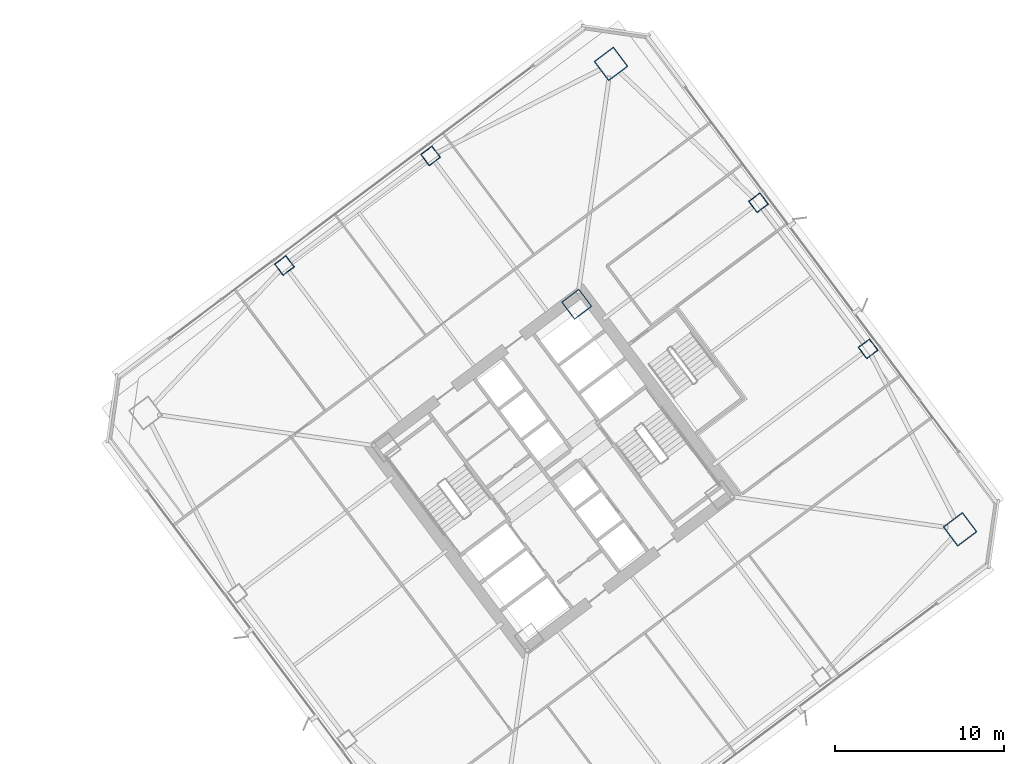
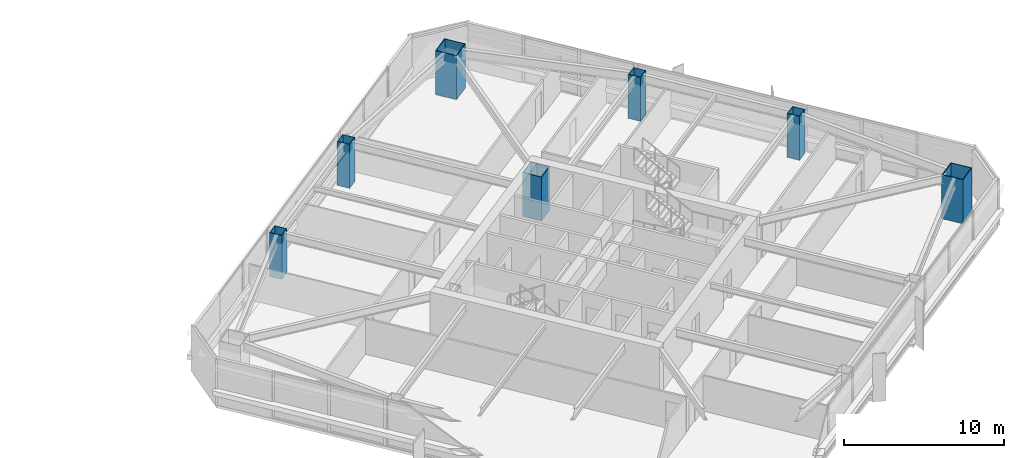
# One storey, part 2 of 49: 7 columns.
"""IFC4 building model written with IfcOpenShell, lengths in metres."""

from ifc_helpers import new_model, si_unit, direction, frame, origin, origin_2d, place, context, subcontext, project, spatial, hollow_rectangle, extrude, material, material_profile, profile_set, type_object, element, save


model = new_model("IFC4")

# Units and contexts
model_context = context("Model", 3, precision=1e-05, world=origin(), true_north=direction((0.0, 1.0)))
body_context = subcontext(model_context, "Body", "Model", "MODEL_VIEW")
ifc_project = project(units=[si_unit("LENGTHUNIT", "METRE"), si_unit("AREAUNIT", "SQUARE_METRE"), si_unit("VOLUMEUNIT", "CUBIC_METRE"), si_unit("PLANEANGLEUNIT", "RADIAN"), si_unit("MASSUNIT", "GRAM", prefix="KILO")], contexts=[model_context])

# Site, building, storey
site_placement = place(None, origin())
site = spatial("IfcSite", under=ifc_project, at=site_placement, CompositionType="ELEMENT")
building_placement = place(site_placement, origin())
building = spatial("IfcBuilding", under=site, at=building_placement, Name="Tashvorn Skyway Center", CompositionType="ELEMENT")
storey_placement = place(building_placement, frame((0.0, 0.0, 70.75)))
storey = spatial("IfcBuildingStorey", under=building, at=storey_placement, Name="L18", CompositionType="ELEMENT", Elevation=70.75)

# Columns
ifc_material = material(Name="Steel ASTM A572 Grade 50", Category="steel")
ifc_material_profile_1 = material_profile(ifc_material, hollow_rectangle(XDim=1.300048828125, YDim=1.300048828125, WallThickness=0.050048828125, at=origin_2d()), Name="BOX1300x1300x50")
ifc_profile_set_1 = profile_set([ifc_material_profile_1], Name="Steel ASTM A572 Grade 50")
column_type_1 = type_object("IfcColumnType", Name="COL-BOX1300x1300x50", PredefinedType="COLUMN", material=ifc_profile_set_1)
column_placement = place(storey_placement, frame((115.409912109375, 41.8701171875, 0.0), z_axis=(0.0, 0.0, 1.0), x_axis=(0.799999996291, 0.600000004945, 0.0)))
element("IfcColumn", 1, at=column_placement, inside=storey, type_object=column_type_1, Name="Tower 2 L18 Core Corner Column CC-NE", PredefinedType="COLUMN", context=body_context, shape_type="SweptSolid", body=[
    extrude(hollow_rectangle(XDim=1.300048828125, YDim=1.300048828125, WallThickness=0.050048828125, at=origin_2d()), origin(), (0.0, 0.0, 1.0), 3.35009765625),
])
ifc_material_profile_2 = material_profile(ifc_material, hollow_rectangle(XDim=1.449951171875, YDim=1.449951171875, WallThickness=0.054931640625, at=origin_2d()), Name="BOX1450x1450x55")
ifc_profile_set_2 = profile_set([ifc_material_profile_2], Name="Steel ASTM A572 Grade 50")
column_type_2 = type_object("IfcColumnType", Name="COL-BOX1450x1450x55", PredefinedType="COLUMN", material=ifc_profile_set_2)
for number, where, z_axis, x_axis, name in (
    (2, (138.080078125, 28.56005859375, 0.0), (0.0, 0.0, 1.0), (0.799999996291, 0.600000004945, 0.0), "Tower 2 L18 Mega-Column MC-SE"),
    (3, (117.43994140625, 56.080078125, 0.0), (0.0, 0.0, 1.0), (0.799999996291, 0.600000004945, 0.0), "Tower 2 L18 Mega-Column MC-NE"),
):
    element("IfcColumn", number, at=place(storey_placement, frame(where, z_axis=z_axis, x_axis=x_axis)), inside=storey, type_object=column_type_2, Name=name, PredefinedType="COLUMN", context=body_context, shape_type="SweptSolid", body=[
        extrude(hollow_rectangle(XDim=1.449951171875, YDim=1.449951171875, WallThickness=0.054931640625, at=origin_2d()), origin(), (0.0, 0.0, 1.0), 3.35009765625),
    ])
ifc_material_profile_3 = material_profile(ifc_material, hollow_rectangle(XDim=0.85009765625, YDim=0.85009765625, WallThickness=0.034912109375, at=origin_2d()), Name="BOX850x850x35")
ifc_profile_set_3 = profile_set([ifc_material_profile_3], Name="Steel ASTM A572 Grade 50")
column_type_3 = type_object("IfcColumnType", Name="COL-BOX850x850x35", PredefinedType="COLUMN", material=ifc_profile_set_3)
for number, where, z_axis, x_axis, name in (
    (4, (132.639892578125, 39.22998046875, 0.0), (0.0, 0.0, 1.0), (0.799999996291, 0.600000004945, 0.0), "Tower 2 L18 Perimeter Column FC-E1"),
    (5, (126.159912109375, 47.8701171875, 0.0), (0.0, 0.0, 1.0), (0.799999996291, 0.600000004945, 0.0), "Tower 2 L18 Perimeter Column FC-E2"),
    (6, (106.77001953125, 50.639892578125, 0.0), (0.0, 0.0, 1.0), (0.799999996291, 0.600000004945, 0.0), "Tower 2 L18 Perimeter Column FC-N1"),
    (7, (98.1298828125, 44.159912109375, 0.0), (0.0, 0.0, 1.0), (0.799999996291, 0.600000004945, 0.0), "Tower 2 L18 Perimeter Column FC-N2"),
):
    element("IfcColumn", number, at=place(storey_placement, frame(where, z_axis=z_axis, x_axis=x_axis)), inside=storey, type_object=column_type_3, Name=name, PredefinedType="COLUMN", context=body_context, shape_type="SweptSolid", body=[
        extrude(hollow_rectangle(XDim=0.85009765625, YDim=0.85009765625, WallThickness=0.034912109375, at=origin_2d()), origin(), (0.0, 0.0, 1.0), 3.35009765625),
    ])

save(model, "model.ifc")
